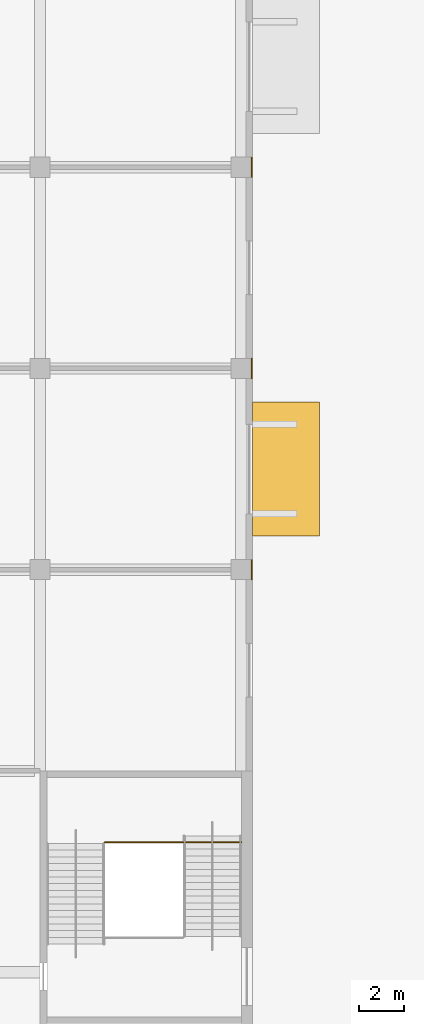
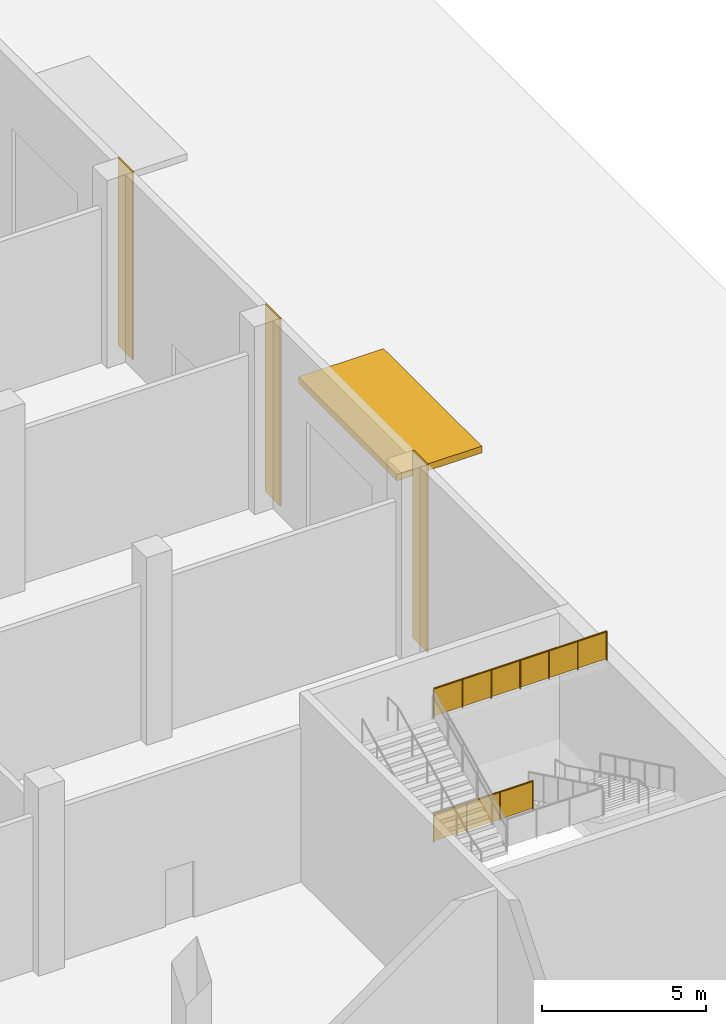
# One storey, part 75 of 92: 3 coverings, 2 railings, 1 shading device.
"""IFC4 building model written with IfcOpenShell, lengths in metres."""

from ifc_helpers import new_model, si_unit, direction, frame, origin, origin_2d, place, context, subcontext, project, spatial, polyline, rectangle, circle, outline, extrude, material, layer, layer_set, type_object, element, save


model = new_model("IFC4")

# Units and contexts
model_context = context("Model", 3, precision=1e-05, world=origin(), true_north=direction((0.0, 1.0)))
body_context = subcontext(model_context, "Body", "Model", "MODEL_VIEW")
ifc_project = project(units=[si_unit("LENGTHUNIT", "METRE"), si_unit("AREAUNIT", "SQUARE_METRE"), si_unit("VOLUMEUNIT", "CUBIC_METRE"), si_unit("PLANEANGLEUNIT", "RADIAN"), si_unit("MASSUNIT", "GRAM", prefix="KILO")], contexts=[model_context])

# Site, building, storey
site_placement = place(None, origin())
site = spatial("IfcSite", under=ifc_project, at=site_placement, CompositionType="ELEMENT")
building_placement = place(site_placement, origin())
building = spatial("IfcBuilding", under=site, at=building_placement, Name="Silverbay Arena", CompositionType="ELEMENT")
storey_placement = place(building_placement, origin())
storey = spatial("IfcBuildingStorey", under=building, at=storey_placement, Name="L00", CompositionType="ELEMENT", Elevation=0.0)

# Coverings
ifc_material_1 = material(Name="Aluminium composite cladding", Category="aluminium")
ifc_layer = layer(ifc_material_1, 0.050048828125)
ifc_layer_set = layer_set([ifc_layer], Name="Aluminium composite cladding")
covering_type = type_object("IfcCoveringType", Name="Column cladding 50", PredefinedType="CLADDING", material=ifc_layer_set)
covering_1_placement = place(storey_placement, origin())
element("IfcCovering", 1, at=covering_1_placement, inside=storey, type_object=covering_type, Name="East column cladding L00 84", PredefinedType="CLADDING", context=body_context, shape_type="SweptSolid", body=[
    extrude(outline(polyline([(234.449951171875, 44.550048828125), (234.5, 44.550048828125), (234.5, 45.449951171875), (234.449951171875, 45.449951171875), (234.449951171875, 44.550048828125)])), origin(), (0.0, 0.0, 1.0), 7.0),
])
covering_2_placement = place(storey_placement, origin())
element("IfcCovering", 2, at=covering_2_placement, inside=storey, type_object=covering_type, Name="East column cladding L00 85", PredefinedType="CLADDING", context=body_context, shape_type="SweptSolid", body=[
    extrude(outline(polyline([(234.449951171875, 53.550048828125), (234.5, 53.550048828125), (234.5, 54.449951171875), (234.449951171875, 54.449951171875), (234.449951171875, 53.550048828125)])), origin(), (0.0, 0.0, 1.0), 7.0),
])
covering_3_placement = place(storey_placement, origin())
element("IfcCovering", 3, at=covering_3_placement, inside=storey, type_object=covering_type, Name="East column cladding L00 86", PredefinedType="CLADDING", context=body_context, shape_type="SweptSolid", body=[
    extrude(outline(polyline([(234.449951171875, 62.550048828125), (234.5, 62.550048828125), (234.5, 63.449951171875), (234.449951171875, 63.449951171875), (234.449951171875, 62.550048828125)])), origin(), (0.0, 0.0, 1.0), 7.0),
])

# Shading device
ifc_material_2 = material(Name="Steel S355", Category="steel")
shading_device_type = type_object("IfcShadingDeviceType", Name="Loading dock canopy 6000 x 3000", PredefinedType="AWNING", material=ifc_material_2)
shading_device_placement = place(storey_placement, frame((236.0, 49.5, 5.199951171875), z_axis=(0.0, 0.0, 1.0), x_axis=(0.0, 1.0, 0.0)))
element("IfcShadingDevice", 4, at=shading_device_placement, inside=storey, type_object=shading_device_type, Name="East loading dock canopy L00 bay 4", PredefinedType="AWNING", context=body_context, shape_type="SweptSolid", body=[
    extrude(rectangle(XDim=6.0, YDim=3.0, at=origin_2d()), origin(), (0.0, 0.0, 1.0), 0.25),
])

# Railings
ifc_material_3 = material(Name="Stainless steel", Category="steel")
railing_type = type_object("IfcRailingType", Name="Stair guard 1100", PredefinedType="GUARDRAIL", material=ifc_material_3)
railing_1_placement = place(storey_placement, frame((227.89990234375, 32.806884765625, 2.333251953125)))
element("IfcRailing", 5, at=railing_1_placement, inside=storey, type_object=railing_type, Name="Stair ST-EG1 L00 to L01 landing 1 guard", PredefinedType="GUARDRAIL", context=body_context, shape_type="SweptSolid", body=[
    extrude(circle(Radius=0.02392578125, at=origin_2d()), frame((0.0, 0.0, 1.076171875), z_axis=(1.0, 0.0, 0.0), x_axis=(0.0, 1.0, 0.0)), (0.0, 0.0, 1.0), 3.5),
    extrude(outline(polyline([(-0.008056640625, 0.050048828125), (1.174560546875, 0.050048828125), (1.174560546875, 1.052978515625), (-0.008056640625, 1.052978515625), (-0.008056640625, 0.050048828125)])), frame((0.0, 0.0029296875, 0.0), z_axis=(0.0, -1.0, 0.0), x_axis=(1.0, 0.0, 0.0)), (0.0, 0.0, 1.0), 0.006103515625),
    extrude(outline(polyline([(-0.008056640625, 0.050048828125), (1.174560546875, 0.050048828125), (1.174560546875, 1.052978515625), (-0.008056640625, 1.052978515625), (-0.008056640625, 0.050048828125)])), frame((1.166748046875, 0.0029296875, 0.0), z_axis=(0.0, -1.0, 0.0), x_axis=(1.0, 0.0, 0.0)), (0.0, 0.0, 1.0), 0.006103515625),
    extrude(outline(polyline([(-0.008056640625, 0.050048828125), (1.174560546875, 0.050048828125), (1.174560546875, 1.052978515625), (-0.008056640625, 1.052978515625), (-0.008056640625, 0.050048828125)])), frame((2.333251953125, 0.0029296875, 0.0), z_axis=(0.0, -1.0, 0.0), x_axis=(1.0, 0.0, 0.0)), (0.0, 0.0, 1.0), 0.006103515625),
    extrude(circle(Radius=0.02099609375, at=origin_2d()), origin(), (0.0, 0.0, 1.0), 1.052001953125),
    extrude(circle(Radius=0.02099609375, at=origin_2d()), frame((1.166748046875, 0.0, 0.0)), (0.0, 0.0, 1.0), 1.052001953125),
    extrude(circle(Radius=0.02099609375, at=origin_2d()), frame((2.333251953125, 0.0, 0.0)), (0.0, 0.0, 1.0), 1.052001953125),
    extrude(circle(Radius=0.02099609375, at=origin_2d()), frame((3.5, 0.0, 0.0)), (0.0, 0.0, 1.0), 1.052001953125),
])
railing_2_placement = place(storey_placement, frame((227.89990234375, 32.806884765625, 7.0)))
element("IfcRailing", 6, at=railing_2_placement, inside=storey, type_object=railing_type, Name="Stair ST-EG1 L00 to L01 landing 3 guard", PredefinedType="GUARDRAIL", context=body_context, shape_type="SweptSolid", body=[
    extrude(circle(Radius=0.02392578125, at=origin_2d()), frame((0.0, 0.0, 1.076171875), z_axis=(1.0, 0.0, 0.0), x_axis=(0.0, 1.0, 0.0)), (0.0, 0.0, 1.0), 6.10009765625),
    extrude(outline(polyline([(-0.008056640625, 0.050048828125), (1.024658203125, 0.050048828125), (1.024658203125, 1.052978515625), (-0.008056640625, 1.052978515625), (-0.008056640625, 0.050048828125)])), frame((0.0, 0.0029296875, 0.0), z_axis=(0.0, -1.0, 0.0), x_axis=(1.0, 0.0, 0.0)), (0.0, 0.0, 1.0), 0.006103515625),
    extrude(outline(polyline([(-0.008056640625, 0.050048828125), (1.024658203125, 0.050048828125), (1.024658203125, 1.052978515625), (-0.008056640625, 1.052978515625), (-0.008056640625, 0.050048828125)])), frame((1.0166015625, 0.0029296875, 0.0), z_axis=(0.0, -1.0, 0.0), x_axis=(1.0, 0.0, 0.0)), (0.0, 0.0, 1.0), 0.006103515625),
    extrude(outline(polyline([(-0.008056640625, 0.050048828125), (1.024658203125, 0.050048828125), (1.024658203125, 1.052978515625), (-0.008056640625, 1.052978515625), (-0.008056640625, 0.050048828125)])), frame((2.033447265625, 0.0029296875, 0.0), z_axis=(0.0, -1.0, 0.0), x_axis=(1.0, 0.0, 0.0)), (0.0, 0.0, 1.0), 0.006103515625),
    extrude(outline(polyline([(-0.008056640625, 0.050048828125), (1.024658203125, 0.050048828125), (1.024658203125, 1.052978515625), (-0.008056640625, 1.052978515625), (-0.008056640625, 0.050048828125)])), frame((3.050048828125, 0.0029296875, 0.0), z_axis=(0.0, -1.0, 0.0), x_axis=(1.0, 0.0, 0.0)), (0.0, 0.0, 1.0), 0.006103515625),
    extrude(outline(polyline([(-0.008056640625, 0.050048828125), (1.024658203125, 0.050048828125), (1.024658203125, 1.052978515625), (-0.008056640625, 1.052978515625), (-0.008056640625, 0.050048828125)])), frame((4.066650390625, 0.0029296875, 0.0), z_axis=(0.0, -1.0, 0.0), x_axis=(1.0, 0.0, 0.0)), (0.0, 0.0, 1.0), 0.006103515625),
    extrude(outline(polyline([(-0.008056640625, 0.050048828125), (1.024658203125, 0.050048828125), (1.024658203125, 1.052978515625), (-0.008056640625, 1.052978515625), (-0.008056640625, 0.050048828125)])), frame((5.08349609375, 0.0029296875, 0.0), z_axis=(0.0, -1.0, 0.0), x_axis=(1.0, 0.0, 0.0)), (0.0, 0.0, 1.0), 0.006103515625),
    extrude(circle(Radius=0.02099609375, at=origin_2d()), origin(), (0.0, 0.0, 1.0), 1.052001953125),
    extrude(circle(Radius=0.02099609375, at=origin_2d()), frame((1.0166015625, 0.0, 0.0)), (0.0, 0.0, 1.0), 1.052001953125),
    extrude(circle(Radius=0.02099609375, at=origin_2d()), frame((2.033447265625, 0.0, 0.0)), (0.0, 0.0, 1.0), 1.052001953125),
    extrude(circle(Radius=0.02099609375, at=origin_2d()), frame((3.050048828125, 0.0, 0.0)), (0.0, 0.0, 1.0), 1.052001953125),
    extrude(circle(Radius=0.02099609375, at=origin_2d()), frame((4.066650390625, 0.0, 0.0)), (0.0, 0.0, 1.0), 1.052001953125),
    extrude(circle(Radius=0.02099609375, at=origin_2d()), frame((5.08349609375, 0.0, 0.0)), (0.0, 0.0, 1.0), 1.052001953125),
    extrude(circle(Radius=0.02099609375, at=origin_2d()), frame((6.10009765625, 0.0, 0.0)), (0.0, 0.0, 1.0), 1.052001953125),
])

save(model, "model.ifc")
